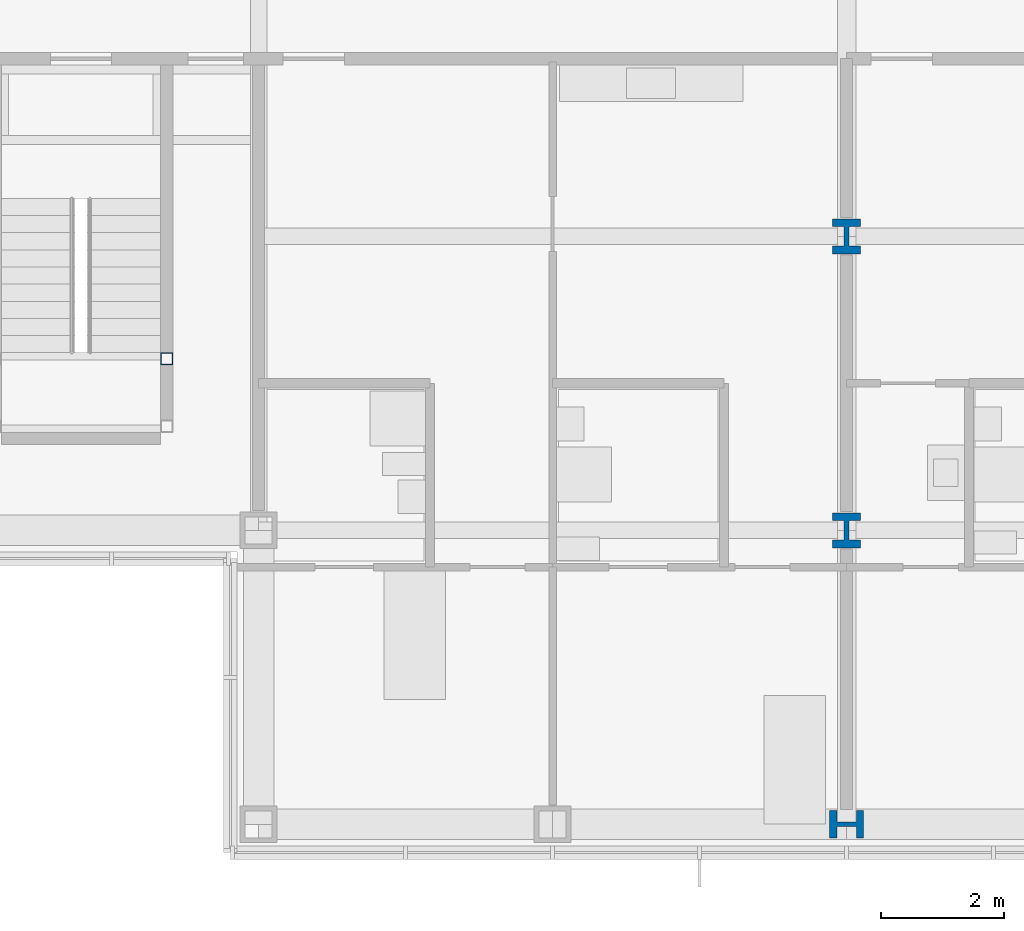
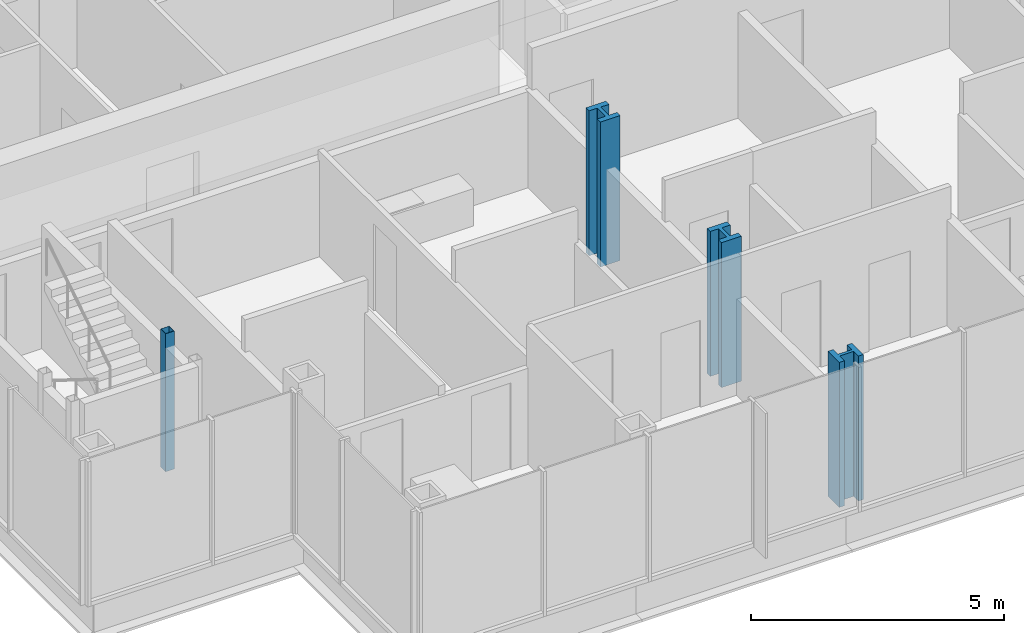
# One storey, part 2 of 20: 4 columns.
"""IFC4 building model written with IfcOpenShell, lengths in metres."""

from ifc_helpers import new_model, si_unit, direction, frame, origin, origin_2d, place, context, subcontext, project, spatial, hollow_rectangle, i_section, extrude, material, material_profile, profile_set, type_object, element, save


model = new_model("IFC4")

# Units and contexts
model_context = context("Model", 3, precision=1e-05, world=origin(), true_north=direction((0.0, 1.0)))
body_context = subcontext(model_context, "Body", "Model", "MODEL_VIEW")
ifc_project = project(units=[si_unit("LENGTHUNIT", "METRE"), si_unit("AREAUNIT", "SQUARE_METRE"), si_unit("VOLUMEUNIT", "CUBIC_METRE"), si_unit("PLANEANGLEUNIT", "RADIAN"), si_unit("MASSUNIT", "GRAM", prefix="KILO")], contexts=[model_context])

# Site, building, storey
site_placement = place(None, origin())
site = spatial("IfcSite", under=ifc_project, at=site_placement, CompositionType="ELEMENT")
building_placement = place(site_placement, origin())
building = spatial("IfcBuilding", under=site, at=building_placement, Name="Kvirike Care Tower", CompositionType="ELEMENT")
storey_placement = place(building_placement, frame((0.0, 0.0, 115.5)))
storey = spatial("IfcBuildingStorey", under=building, at=storey_placement, Name="L31", CompositionType="ELEMENT", Elevation=115.5)

# Columns
ifc_material_1 = material(Name="Steel S460", Category="steel")
ifc_material_profile_1 = material_profile(ifc_material_1, i_section(OverallWidth=0.4541015625, OverallDepth=0.569091796875, WebThickness=0.077880859375, FlangeThickness=0.125, FilletRadius=0.014892578125, at=origin_2d()), Name="HD 400x1086")
ifc_profile_set_1 = profile_set([ifc_material_profile_1], Name="Steel S460")
column_type_1 = type_object("IfcColumnType", Name="COLUMN HD 400x1086", PredefinedType="COLUMN", material=ifc_profile_set_1)
for number, where, z_axis, x_axis, name in (
    (1, (28.800048828125, 19.199951171875, 0.0), (0.0, 0.0, 1.0), (1.0, 0.0, 0.0), "Column E9 L31"),
    (2, (28.800048828125, 24.0, 0.0), (0.0, 0.0, 1.0), (1.0, 0.0, 0.0), "Column F9 L31"),
):
    element("IfcColumn", number, at=place(storey_placement, frame(where, z_axis=z_axis, x_axis=x_axis)), inside=storey, type_object=column_type_1, Name=name, PredefinedType="COLUMN", context=body_context, shape_type="SweptSolid", body=[
        extrude(i_section(OverallWidth=0.4541015625, OverallDepth=0.569091796875, WebThickness=0.077880859375, FlangeThickness=0.125, FilletRadius=0.014892578125, at=origin_2d()), origin(), (0.0, 0.0, 1.0), 3.5),
    ])
ifc_material_2 = material(Name="Steel S460", Category="steel")
ifc_material_profile_2 = material_profile(ifc_material_2, i_section(OverallWidth=0.447998046875, OverallDepth=0.550048828125, WebThickness=0.072021484375, FlangeThickness=0.114990234375, FilletRadius=0.014892578125, at=origin_2d()), Name="HD 400x990")
ifc_profile_set_2 = profile_set([ifc_material_profile_2], Name="Steel S460")
column_type_2 = type_object("IfcColumnType", Name="COLUMN HD 400x990", PredefinedType="COLUMN", material=ifc_profile_set_2)
column_1_placement = place(storey_placement, frame((28.800048828125, 14.39990234375, 0.0), z_axis=(0.0, 0.0, 1.0), x_axis=(0.0, 1.0, 0.0)))
element("IfcColumn", 3, at=column_1_placement, inside=storey, type_object=column_type_2, Name="Column D9 L31", PredefinedType="COLUMN", context=body_context, shape_type="SweptSolid", body=[
    extrude(i_section(OverallWidth=0.447998046875, OverallDepth=0.550048828125, WebThickness=0.072021484375, FlangeThickness=0.114990234375, FilletRadius=0.014892578125, at=origin_2d()), origin(), (0.0, 0.0, 1.0), 3.5),
])
ifc_material_3 = material(Name="Steel S460", Category="steel")
ifc_material_profile_3 = material_profile(ifc_material_3, hollow_rectangle(XDim=0.199951171875, YDim=0.199951171875, WallThickness=0.008056640625, at=origin_2d()), Name="SHS 200x200x8")
ifc_profile_set_3 = profile_set([ifc_material_profile_3], Name="Steel S460")
column_type_3 = type_object("IfcColumnType", Name="STAIR POST SHS 200x200x8", PredefinedType="COLUMN", material=ifc_profile_set_3)
column_2_placement = place(storey_placement, frame((17.699951171875, 22.0, 0.0), z_axis=(0.0, 0.0, 1.0), x_axis=(1.0, 0.0, 0.0)))
element("IfcColumn", 4, at=column_2_placement, inside=storey, type_object=column_type_3, Name="Stair 5 post 4 L31", PredefinedType="COLUMN", context=body_context, shape_type="SweptSolid", body=[
    extrude(hollow_rectangle(XDim=0.199951171875, YDim=0.199951171875, WallThickness=0.008056640625, at=origin_2d()), origin(), (0.0, 0.0, 1.0), 3.330078125),
])

save(model, "model.ifc")
